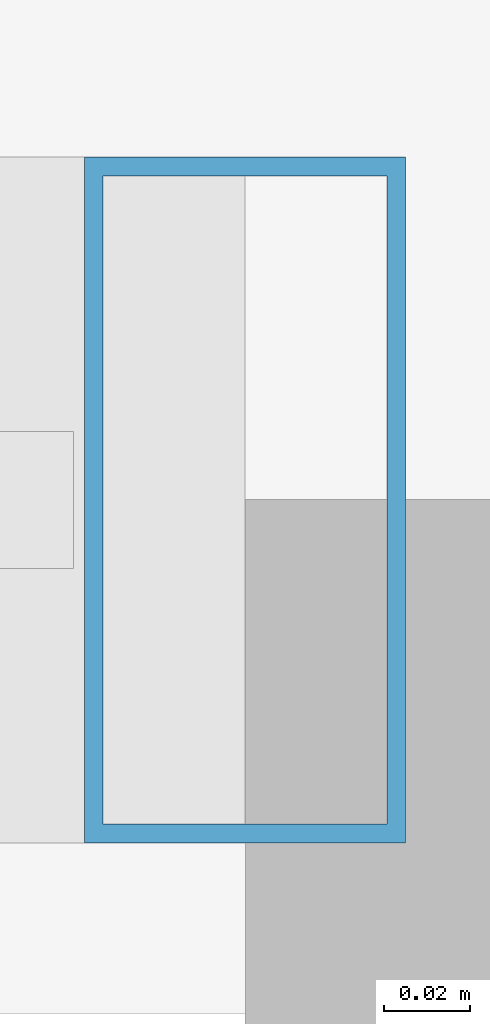
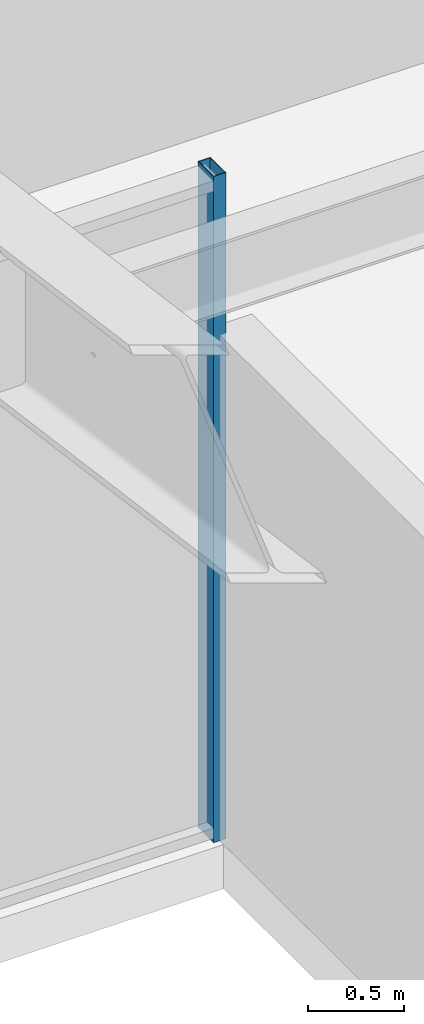
# One storey, part 18 of 47: 1 member, 1 element without a shape of its own.
"""IFC4 building model written with IfcOpenShell, lengths in metres."""

from ifc_helpers import new_model, si_unit, direction, frame, origin, origin_2d, place, context, subcontext, project, spatial, hollow_rectangle, extrude, material, material_profile, profile_set, type_object, element, aggregate, save


model = new_model("IFC4")

# Units and contexts
model_context = context("Model", 3, precision=1e-05, world=origin(), true_north=direction((0.0, 1.0)))
body_context = subcontext(model_context, "Body", "Model", "MODEL_VIEW")
ifc_project = project(units=[si_unit("LENGTHUNIT", "METRE"), si_unit("AREAUNIT", "SQUARE_METRE"), si_unit("VOLUMEUNIT", "CUBIC_METRE"), si_unit("PLANEANGLEUNIT", "RADIAN"), si_unit("MASSUNIT", "GRAM", prefix="KILO")], contexts=[model_context])

# Site, building, storey
site_placement = place(None, origin())
site = spatial("IfcSite", under=ifc_project, at=site_placement, CompositionType="ELEMENT")
building_placement = place(site_placement, origin())
building = spatial("IfcBuilding", under=site, at=building_placement, Name="Kolvaren Belvedere", CompositionType="ELEMENT")
storey_placement = place(building_placement, frame((0.0, 0.0, 5.5)))
storey = spatial("IfcBuildingStorey", under=building, at=storey_placement, Name="L02", CompositionType="ELEMENT", Elevation=5.5)

# Curtain wall, member
ifc_material_1 = material(Name="Anodised pale-metal aluminium AA 6063-T6", Category="aluminium")
curtain_wall_type = type_object("IfcCurtainWallType", Name="CW-POD-A", PredefinedType="NOTDEFINED", material=ifc_material_1)
curtain_wall_placement = place(storey_placement, origin())
curtain_wall = element("IfcCurtainWall", 1, at=curtain_wall_placement, inside=storey, type_object=curtain_wall_type, Name="L02 Unitised Curtain Wall FCW-L02-SEG3", PredefinedType="NOTDEFINED")
ifc_material_2 = material(Name="Anodised pale-metal aluminium AA 6063-T6", Category="aluminium")
ifc_material_profile = material_profile(ifc_material_2, hollow_rectangle(XDim=0.074951171875, YDim=0.159912109375, WallThickness=0.00439453125, at=origin_2d()), Name="ALU-MUL-160X75")
ifc_profile_set = profile_set([ifc_material_profile], Name="Anodised pale-metal aluminium AA 6063-T6")
member_type = type_object("IfcMemberType", Name="CW-MUL-160", PredefinedType="MULLION", material=ifc_profile_set)
member_placement = place(storey_placement, frame((12.0, -18.280029296875, 0.0), z_axis=(0.0, 0.0, 1.0), x_axis=(1.0, 0.0, 0.0)))
member = element("IfcMember", 2, at=member_placement, type_object=member_type, Name="FCW-L02-SEG3 Unitised Mullion 1", PredefinedType="MULLION", context=body_context, shape_type="SweptSolid", body=[
    extrude(hollow_rectangle(XDim=0.074951171875, YDim=0.159912109375, WallThickness=0.00439453125, at=origin_2d()), origin(), (0.0, 0.0, 1.0), 4.219970703125),
])
aggregate(curtain_wall, [member])

save(model, "model.ifc")
